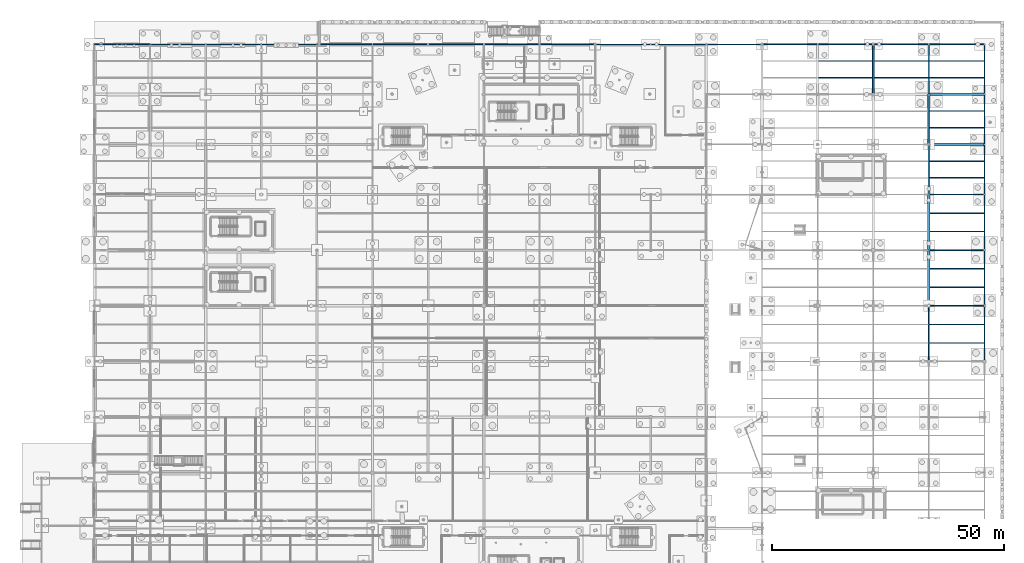
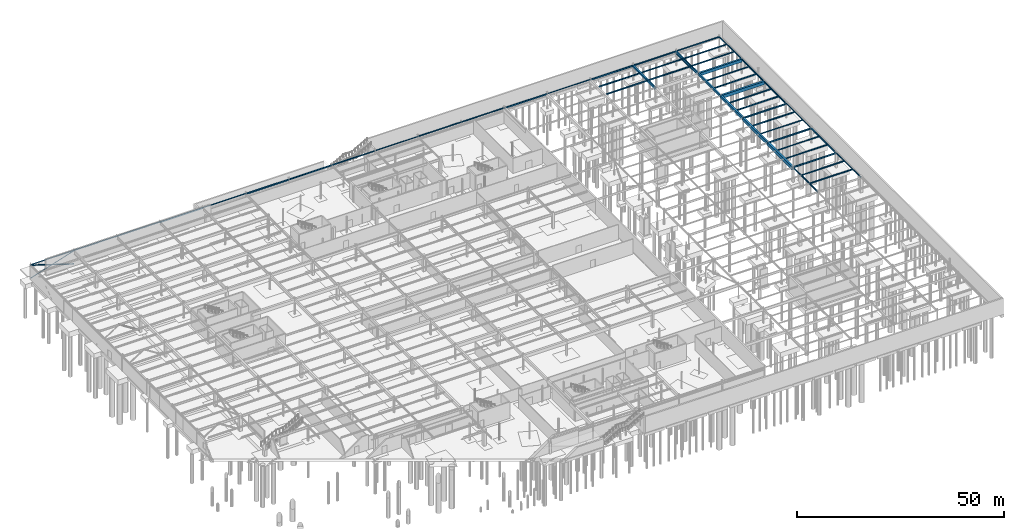
# One storey, part 87 of 136: 50 beams, 3 members.
"""IFC4 building model written with IfcOpenShell, lengths in metres."""

from ifc_helpers import new_model, si_unit, direction, frame, origin, origin_2d, place, context, subcontext, project, spatial, rectangle, hollow_rectangle, hollow_circle, i_section, extrude, material, material_profile, profile_set, type_object, element, save


model = new_model("IFC4")

# Units and contexts
model_context = context("Model", 3, precision=1e-05, world=origin(), true_north=direction((0.0, 1.0)))
body_context = subcontext(model_context, "Body", "Model", "MODEL_VIEW")
ifc_project = project(units=[si_unit("LENGTHUNIT", "METRE"), si_unit("AREAUNIT", "SQUARE_METRE"), si_unit("VOLUMEUNIT", "CUBIC_METRE"), si_unit("PLANEANGLEUNIT", "RADIAN"), si_unit("MASSUNIT", "GRAM", prefix="KILO")], contexts=[model_context])

# Site, building, storey
site_placement = place(None, origin())
site = spatial("IfcSite", under=ifc_project, at=site_placement, CompositionType="ELEMENT")
building_placement = place(site_placement, origin())
building = spatial("IfcBuilding", under=site, at=building_placement, Name="Tarnwether General Hospital", CompositionType="ELEMENT")
storey_placement = place(building_placement, frame((0.0, 0.0, -4.800048828125)))
storey = spatial("IfcBuildingStorey", under=building, at=storey_placement, Name="LG", CompositionType="ELEMENT", Elevation=-4.800048828125)

# Beams
ifc_material_1 = material(Name="Steel Grade 350 (350 MPa)", Category="steel")
ifc_material_profile_1 = material_profile(ifc_material_1, i_section(OverallWidth=0.300048828125, OverallDepth=0.89990234375, WebThickness=0.011962890625, FlangeThickness=0.02001953125, at=origin_2d()), Name="900WB175")
ifc_profile_set_1 = profile_set([ifc_material_profile_1], Name="Steel Grade 350 (350 MPa)")
beam_type_1 = type_object("IfcBeamType", Name="BM-G01", PredefinedType="BEAM", material=ifc_profile_set_1)
beam_1_placement = place(storey_placement, frame((180.0, 115.199951171875, 3.969970703125), z_axis=(0.0, 1.0, 0.0), x_axis=(-1.0, 0.0, 0.0)))
element("IfcBeam", 1, at=beam_1_placement, inside=storey, type_object=beam_type_1, Name="Primary Girder BMG-LG-18000_11520-18000_12600-0321", PredefinedType="BEAM", context=body_context, shape_type="SweptSolid", body=[
    extrude(i_section(OverallWidth=0.300048828125, OverallDepth=0.89990234375, WebThickness=0.011962890625, FlangeThickness=0.02001953125, at=origin_2d()), origin(), (0.0, 0.0, 1.0), 10.800048828125),
])
ifc_material_2 = material(Name="Steel Grade 350 (350 MPa)", Category="steel")
ifc_material_profile_2 = material_profile(ifc_material_2, i_section(OverallWidth=0.19091796875, OverallDepth=0.4599609375, WebThickness=0.010009765625, FlangeThickness=0.01611328125, at=origin_2d()), Name="460UB82.1")
ifc_profile_set_2 = profile_set([ifc_material_profile_2], Name="Steel Grade 350 (350 MPa)")
beam_type_2 = type_object("IfcBeamType", Name="BM-G08", PredefinedType="BEAM", material=ifc_profile_set_2)
beam_2_placement = place(storey_placement, frame((180.0, 69.60009765625, 4.2099609375), z_axis=(1.0, 0.0, 0.0), x_axis=(0.0, 1.0, 0.0)))
element("IfcBeam", 2, at=beam_2_placement, inside=storey, type_object=beam_type_2, Name="Primary Girder BMG-LG-18000_6960-19200_6960-0312", PredefinedType="BEAM", context=body_context, shape_type="SweptSolid", body=[
    extrude(i_section(OverallWidth=0.19091796875, OverallDepth=0.4599609375, WebThickness=0.010009765625, FlangeThickness=0.01611328125, at=origin_2d()), origin(), (0.0, 0.0, 1.0), 12.0),
])
ifc_material_3 = material(Name="Steel Grade 350 (350 MPa)", Category="steel")
ifc_material_profile_3 = material_profile(ifc_material_3, i_section(OverallWidth=0.18994140625, OverallDepth=0.45703125, WebThickness=0.009033203125, FlangeThickness=0.014404296875, at=origin_2d()), Name="460UB74.6")
ifc_profile_set_3 = profile_set([ifc_material_profile_3], Name="Steel Grade 350 (350 MPa)")
beam_type_3 = type_object("IfcBeamType", Name="BM-G09", PredefinedType="BEAM", material=ifc_profile_set_3)
beam_3_placement = place(storey_placement, frame((180.0, 81.60009765625, 4.191650390625), z_axis=(1.0, 0.0, 0.0), x_axis=(0.0, 1.0, 0.0)))
element("IfcBeam", 3, at=beam_3_placement, inside=storey, type_object=beam_type_3, Name="Primary Girder BMG-LG-18000_8160-19200_8160-0314", PredefinedType="BEAM", context=body_context, shape_type="SweptSolid", body=[
    extrude(i_section(OverallWidth=0.18994140625, OverallDepth=0.45703125, WebThickness=0.009033203125, FlangeThickness=0.014404296875, at=origin_2d()), origin(), (0.0, 0.0, 1.0), 12.0),
])
ifc_material_4 = material(Name="Steel Grade 350 (350 MPa)", Category="steel")
ifc_material_profile_4 = material_profile(ifc_material_4, i_section(OverallWidth=0.18994140625, OverallDepth=0.4541015625, WebThickness=0.008544921875, FlangeThickness=0.0126953125, at=origin_2d()), Name="460UB67.1")
ifc_profile_set_4 = profile_set([ifc_material_profile_4], Name="Steel Grade 350 (350 MPa)")
beam_type_4 = type_object("IfcBeamType", Name="BM-G10", PredefinedType="BEAM", material=ifc_profile_set_4)
for number, where, z_axis, x_axis, name in (
    (4, (180.0, 57.60009765625, 4.213134765625), (0.0, 1.0, 0.0), (-1.0, 0.0, 0.0), "Primary Girder BMG-LG-18000_5760-18000_6960-0311"),
    (5, (180.0, 93.60009765625, 4.193115234375), (1.0, 0.0, 0.0), (0.0, 1.0, 0.0), "Primary Girder BMG-LG-18000_9360-19200_9360-0316"),
):
    element("IfcBeam", number, at=place(storey_placement, frame(where, z_axis=z_axis, x_axis=x_axis)), inside=storey, type_object=beam_type_4, Name=name, PredefinedType="BEAM", context=body_context, shape_type="SweptSolid", body=[
        extrude(i_section(OverallWidth=0.18994140625, OverallDepth=0.4541015625, WebThickness=0.008544921875, FlangeThickness=0.0126953125, at=origin_2d()), origin(), (0.0, 0.0, 1.0), 12.0),
    ])
ifc_material_5 = material(Name="Concrete 40 MPa", Category="concrete")
ifc_material_profile_5 = material_profile(ifc_material_5, rectangle(XDim=0.550048828125, YDim=0.949951171875, at=origin_2d()), Name="RC-BM-550x950")
ifc_profile_set_5 = profile_set([ifc_material_profile_5], Name="Concrete 40 MPa")
beam_type_5 = type_object("IfcBeamType", Name="BM-G11", PredefinedType="BEAM", material=ifc_profile_set_5)
for number, where, z_axis, x_axis, name in (
    (6, (180.0, 69.60009765625, 3.945068359375), (0.0, 1.0, 0.0), (-1.0, 0.0, 0.0), "Primary Girder BMG-LG-18000_6960-18000_8160-0313"),
    (7, (180.0, 104.39990234375, 3.945068359375), (1.0, 0.0, 0.0), (0.0, 1.0, 0.0), "Primary Girder BMG-LG-18000_10440-19200_10440-0318"),
):
    element("IfcBeam", number, at=place(storey_placement, frame(where, z_axis=z_axis, x_axis=x_axis)), inside=storey, type_object=beam_type_5, Name=name, PredefinedType="BEAM", context=body_context, shape_type="SweptSolid", body=[
        extrude(rectangle(XDim=0.550048828125, YDim=0.949951171875, at=origin_2d()), origin(), (0.0, 0.0, 1.0), 12.0),
    ])
ifc_material_6 = material(Name="Concrete 40 MPa", Category="concrete")
ifc_material_profile_6 = material_profile(ifc_material_6, rectangle(XDim=0.5, YDim=0.89990234375, at=origin_2d()), Name="RC-BM-500x900")
ifc_profile_set_6 = profile_set([ifc_material_profile_6], Name="Concrete 40 MPa")
beam_type_6 = type_object("IfcBeamType", Name="BM-G12", PredefinedType="BEAM", material=ifc_profile_set_6)
for number, where, z_axis, x_axis, name in (
    (8, (180.0, 81.60009765625, 3.969970703125), (0.0, 1.0, 0.0), (-1.0, 0.0, 0.0), "Primary Girder BMG-LG-18000_8160-18000_9360-0315"),
    (9, (180.0, 115.199951171875, 3.969970703125), (1.0, 0.0, 0.0), (0.0, 1.0, 0.0), "Primary Girder BMG-LG-18000_11520-19200_11520-0320"),
):
    element("IfcBeam", number, at=place(storey_placement, frame(where, z_axis=z_axis, x_axis=x_axis)), inside=storey, type_object=beam_type_6, Name=name, PredefinedType="BEAM", context=body_context, shape_type="SweptSolid", body=[
        extrude(rectangle(XDim=0.5, YDim=0.89990234375, at=origin_2d()), origin(), (0.0, 0.0, 1.0), 12.0),
    ])
ifc_material_7 = material(Name="Concrete 40 MPa", Category="concrete")
ifc_material_profile_7 = material_profile(ifc_material_7, rectangle(XDim=0.449951171875, YDim=0.75, at=origin_2d()), Name="RC-BM-450x750")
ifc_profile_set_7 = profile_set([ifc_material_profile_7], Name="Concrete 40 MPa")
beam_type_7 = type_object("IfcBeamType", Name="BM-G13", PredefinedType="BEAM", material=ifc_profile_set_7)
beam_4_placement = place(storey_placement, frame((180.0, 93.60009765625, 4.045166015625), z_axis=(0.0, 1.0, 0.0), x_axis=(-1.0, 0.0, 0.0)))
element("IfcBeam", 10, at=beam_4_placement, inside=storey, type_object=beam_type_7, Name="Primary Girder BMG-LG-18000_9360-18000_10440-0317", PredefinedType="BEAM", context=body_context, shape_type="SweptSolid", body=[
    extrude(rectangle(XDim=0.449951171875, YDim=0.75, at=origin_2d()), origin(), (0.0, 0.0, 1.0), 10.7998046875),
])
ifc_material_8 = material(Name="Concrete 40 MPa", Category="concrete")
ifc_material_profile_8 = material_profile(ifc_material_8, rectangle(XDim=0.39990234375, YDim=0.64990234375, at=origin_2d()), Name="RC-BM-400x650")
ifc_profile_set_8 = profile_set([ifc_material_profile_8], Name="Concrete 40 MPa")
beam_type_8 = type_object("IfcBeamType", Name="BM-G14", PredefinedType="BEAM", material=ifc_profile_set_8)
for number, where, z_axis, x_axis, name in (
    (11, (168.0, 115.199951171875, 4.094970703125), (0.0, 1.0, 0.0), (-1.0, 0.0, 0.0), "Primary Girder BMG-LG-16800_11520-16800_12600-0298"),
    (12, (180.0, 104.39990234375, 4.094970703125), (0.0, 1.0, 0.0), (-1.0, 0.0, 0.0), "Primary Girder BMG-LG-18000_10440-18000_11520-0319"),
):
    element("IfcBeam", number, at=place(storey_placement, frame(where, z_axis=z_axis, x_axis=x_axis)), inside=storey, type_object=beam_type_8, Name=name, PredefinedType="BEAM", context=body_context, shape_type="SweptSolid", body=[
        extrude(rectangle(XDim=0.39990234375, YDim=0.64990234375, at=origin_2d()), origin(), (0.0, 0.0, 1.0), 10.800048828125),
    ])
ifc_material_9 = material(Name="Steel Grade 350 (350 MPa)", Category="steel")
ifc_material_profile_9 = material_profile(ifc_material_9, i_section(OverallWidth=0.177978515625, OverallDepth=0.406005859375, WebThickness=0.0078125, FlangeThickness=0.0126953125, at=origin_2d()), Name="410UB59.7")
ifc_profile_set_9 = profile_set([ifc_material_profile_9], Name="Steel Grade 350 (350 MPa)")
beam_type_9 = type_object("IfcBeamType", Name="BM-J01", PredefinedType="JOIST", material=ifc_profile_set_9)
beam_5_placement = place(storey_placement, frame((156.218994140625, 118.800048828125, 4.217041015625), z_axis=(1.0, 0.0, 0.0), x_axis=(0.0, 1.0, 0.0)))
element("IfcBeam", 13, at=beam_5_placement, inside=storey, type_object=beam_type_9, Name="Composite Floor Joist BMG-LG-15622_11880-16781_11880-0533", PredefinedType="JOIST", context=body_context, shape_type="SweptSolid", body=[
    extrude(i_section(OverallWidth=0.177978515625, OverallDepth=0.406005859375, WebThickness=0.0078125, FlangeThickness=0.0126953125, at=origin_2d()), origin(), (0.0, 0.0, 1.0), 11.5869140625),
])
beam_6_placement = place(storey_placement, frame((180.243896484375, 89.60009765625, 4.217041015625), z_axis=(1.0, 0.0, 0.0), x_axis=(0.0, 1.0, 0.0)))
element("IfcBeam", 14, at=beam_6_placement, inside=storey, type_object=beam_type_9, Name="Composite Floor Joist BMG-LG-18024_8960-19192_8960-0572", PredefinedType="JOIST", context=body_context, shape_type="SweptSolid", body=[
    extrude(i_section(OverallWidth=0.177978515625, OverallDepth=0.406005859375, WebThickness=0.0078125, FlangeThickness=0.0126953125, at=origin_2d()), origin(), (0.0, 0.0, 1.0), 11.676025390625),
])
beam_7_placement = place(storey_placement, frame((180.218994140625, 97.199951171875, 4.217041015625), z_axis=(1.0, 0.0, 0.0), x_axis=(0.0, 1.0, 0.0)))
element("IfcBeam", 15, at=beam_7_placement, inside=storey, type_object=beam_type_9, Name="Composite Floor Joist BMG-LG-18022_9720-19191_9720-0573", PredefinedType="JOIST", context=body_context, shape_type="SweptSolid", body=[
    extrude(i_section(OverallWidth=0.177978515625, OverallDepth=0.406005859375, WebThickness=0.0078125, FlangeThickness=0.0126953125, at=origin_2d()), origin(), (0.0, 0.0, 1.0), 11.69189453125),
])
ifc_material_10 = material(Name="Steel Grade 350 (350 MPa)", Category="steel")
ifc_material_profile_10 = material_profile(ifc_material_10, i_section(OverallWidth=0.177978515625, OverallDepth=0.403076171875, WebThickness=0.007568359375, FlangeThickness=0.010986328125, at=origin_2d()), Name="410UB53.7")
ifc_profile_set_10 = profile_set([ifc_material_profile_10], Name="Steel Grade 350 (350 MPa)")
beam_type_10 = type_object("IfcBeamType", Name="BM-J02", PredefinedType="JOIST", material=ifc_profile_set_10)
beam_8_placement = place(storey_placement, frame((156.218994140625, 122.39990234375, 4.218505859375), z_axis=(1.0, 0.0, 0.0), x_axis=(0.0, 1.0, 0.0)))
element("IfcBeam", 16, at=beam_8_placement, inside=storey, type_object=beam_type_10, Name="Composite Floor Joist BMG-LG-15622_12240-16781_12240-0534", PredefinedType="JOIST", context=body_context, shape_type="SweptSolid", body=[
    extrude(i_section(OverallWidth=0.177978515625, OverallDepth=0.403076171875, WebThickness=0.007568359375, FlangeThickness=0.010986328125, at=origin_2d()), origin(), (0.0, 0.0, 1.0), 11.5869140625),
])
beam_9_placement = place(storey_placement, frame((168.194091796875, 118.800048828125, 4.218505859375), z_axis=(1.0, 0.0, 0.0), x_axis=(0.0, 1.0, 0.0)))
element("IfcBeam", 17, at=beam_9_placement, inside=storey, type_object=beam_type_10, Name="Composite Floor Joist BMG-LG-16819_11880-17986_11880-0555", PredefinedType="JOIST", context=body_context, shape_type="SweptSolid", body=[
    extrude(i_section(OverallWidth=0.177978515625, OverallDepth=0.403076171875, WebThickness=0.007568359375, FlangeThickness=0.010986328125, at=origin_2d()), origin(), (0.0, 0.0, 1.0), 11.661865234375),
])
beam_10_placement = place(storey_placement, frame((180.218994140625, 100.800048828125, 4.218505859375), z_axis=(1.0, 0.0, 0.0), x_axis=(0.0, 1.0, 0.0)))
element("IfcBeam", 18, at=beam_10_placement, inside=storey, type_object=beam_type_10, Name="Composite Floor Joist BMG-LG-18022_10080-19191_10080-0574", PredefinedType="JOIST", context=body_context, shape_type="SweptSolid", body=[
    extrude(i_section(OverallWidth=0.177978515625, OverallDepth=0.403076171875, WebThickness=0.007568359375, FlangeThickness=0.010986328125, at=origin_2d()), origin(), (0.0, 0.0, 1.0), 11.69189453125),
])
beam_11_placement = place(storey_placement, frame((180.194091796875, 108.0, 4.218505859375), z_axis=(1.0, 0.0, 0.0), x_axis=(0.0, 1.0, 0.0)))
element("IfcBeam", 19, at=beam_11_placement, inside=storey, type_object=beam_type_10, Name="Composite Floor Joist BMG-LG-18019_10800-19192_10800-0575", PredefinedType="JOIST", context=body_context, shape_type="SweptSolid", body=[
    extrude(i_section(OverallWidth=0.177978515625, OverallDepth=0.403076171875, WebThickness=0.007568359375, FlangeThickness=0.010986328125, at=origin_2d()), origin(), (0.0, 0.0, 1.0), 11.722900390625),
])
ifc_material_11 = material(Name="Steel Grade 350 (350 MPa)", Category="steel")
ifc_material_profile_11 = material_profile(ifc_material_11, i_section(OverallWidth=0.172119140625, OverallDepth=0.35888671875, WebThickness=0.008056640625, FlangeThickness=0.012939453125, at=origin_2d()), Name="360UB56.7")
ifc_profile_set_11 = profile_set([ifc_material_profile_11], Name="Steel Grade 350 (350 MPa)")
beam_type_11 = type_object("IfcBeamType", Name="BM-J03", PredefinedType="JOIST", material=ifc_profile_set_11)
beam_12_placement = place(storey_placement, frame((168.194091796875, 122.39990234375, 4.240478515625), z_axis=(1.0, 0.0, 0.0), x_axis=(0.0, 1.0, 0.0)))
element("IfcBeam", 20, at=beam_12_placement, inside=storey, type_object=beam_type_11, Name="Composite Floor Joist BMG-LG-16819_12240-17986_12240-0556", PredefinedType="JOIST", context=body_context, shape_type="SweptSolid", body=[
    extrude(i_section(OverallWidth=0.172119140625, OverallDepth=0.35888671875, WebThickness=0.008056640625, FlangeThickness=0.012939453125, at=origin_2d()), origin(), (0.0, 0.0, 1.0), 11.661865234375),
])
beam_13_placement = place(storey_placement, frame((180.194091796875, 111.60009765625, 4.240478515625), z_axis=(1.0, 0.0, 0.0), x_axis=(0.0, 1.0, 0.0)))
element("IfcBeam", 21, at=beam_13_placement, inside=storey, type_object=beam_type_11, Name="Composite Floor Joist BMG-LG-18019_11160-19192_11160-0576", PredefinedType="JOIST", context=body_context, shape_type="SweptSolid", body=[
    extrude(i_section(OverallWidth=0.172119140625, OverallDepth=0.35888671875, WebThickness=0.008056640625, FlangeThickness=0.012939453125, at=origin_2d()), origin(), (0.0, 0.0, 1.0), 11.722900390625),
])
beam_14_placement = place(storey_placement, frame((180.14404296875, 118.800048828125, 4.240478515625), z_axis=(1.0, 0.0, 0.0), x_axis=(0.0, 1.0, 0.0)))
element("IfcBeam", 22, at=beam_14_placement, inside=storey, type_object=beam_type_11, Name="Composite Floor Joist BMG-LG-18014_11880-19191_11880-0577", PredefinedType="JOIST", context=body_context, shape_type="SweptSolid", body=[
    extrude(i_section(OverallWidth=0.172119140625, OverallDepth=0.35888671875, WebThickness=0.008056640625, FlangeThickness=0.012939453125, at=origin_2d()), origin(), (0.0, 0.0, 1.0), 11.761962890625),
])
ifc_material_12 = material(Name="Steel Grade 350 (350 MPa)", Category="steel")
ifc_material_profile_12 = material_profile(ifc_material_12, i_section(OverallWidth=0.1708984375, OverallDepth=0.35595703125, WebThickness=0.00732421875, FlangeThickness=0.011474609375, at=origin_2d()), Name="360UB50.7")
ifc_profile_set_12 = profile_set([ifc_material_profile_12], Name="Steel Grade 350 (350 MPa)")
beam_type_12 = type_object("IfcBeamType", Name="BM-J04", PredefinedType="JOIST", material=ifc_profile_set_12)
beam_15_placement = place(storey_placement, frame((180.14404296875, 122.39990234375, 4.241943359375), z_axis=(1.0, 0.0, 0.0), x_axis=(0.0, 1.0, 0.0)))
element("IfcBeam", 23, at=beam_15_placement, inside=storey, type_object=beam_type_12, Name="Composite Floor Joist BMG-LG-18014_12240-19191_12240-0578", PredefinedType="JOIST", context=body_context, shape_type="SweptSolid", body=[
    extrude(i_section(OverallWidth=0.1708984375, OverallDepth=0.35595703125, WebThickness=0.00732421875, FlangeThickness=0.011474609375, at=origin_2d()), origin(), (0.0, 0.0, 1.0), 11.761962890625),
])
ifc_material_13 = material(Name="Steel Grade 350 (350 MPa)", Category="steel")
ifc_material_profile_13 = material_profile(ifc_material_13, i_section(OverallWidth=0.14599609375, OverallDepth=0.251953125, WebThickness=0.006103515625, FlangeThickness=0.008544921875, at=origin_2d()), Name="250UB31.4")
ifc_profile_set_13 = profile_set([ifc_material_profile_13], Name="Steel Grade 350 (350 MPa)")
beam_type_13 = type_object("IfcBeamType", Name="BM-J10", PredefinedType="JOIST", material=ifc_profile_set_13)
beam_16_placement = place(storey_placement, frame((180.089111328125, 61.60009765625, 4.31396484375), z_axis=(1.0, 0.0, 0.0), x_axis=(0.0, 1.0, 0.0)))
element("IfcBeam", 24, at=beam_16_placement, inside=storey, type_object=beam_type_13, Name="Composite Floor Joist BMG-LG-18009_6160-19192_6160-0567", PredefinedType="JOIST", context=body_context, shape_type="SweptSolid", body=[
    extrude(i_section(OverallWidth=0.14599609375, OverallDepth=0.251953125, WebThickness=0.006103515625, FlangeThickness=0.008544921875, at=origin_2d()), origin(), (0.0, 0.0, 1.0), 11.830810546875),
])
ifc_material_14 = material(Name="Steel Grade 350 (350 MPa)", Category="steel")
ifc_material_profile_14 = material_profile(ifc_material_14, i_section(OverallWidth=0.1240234375, OverallDepth=0.248046875, WebThickness=0.0048828125, FlangeThickness=0.008056640625, at=origin_2d()), Name="250UB25.7")
ifc_profile_set_14 = profile_set([ifc_material_profile_14], Name="Steel Grade 350 (350 MPa)")
beam_type_14 = type_object("IfcBeamType", Name="BM-J11", PredefinedType="JOIST", material=ifc_profile_set_14)
beam_17_placement = place(storey_placement, frame((180.089111328125, 65.60009765625, 4.316162109375), z_axis=(1.0, 0.0, 0.0), x_axis=(0.0, 1.0, 0.0)))
element("IfcBeam", 25, at=beam_17_placement, inside=storey, type_object=beam_type_14, Name="Composite Floor Joist BMG-LG-18009_6560-19192_6560-0568", PredefinedType="JOIST", context=body_context, shape_type="SweptSolid", body=[
    extrude(i_section(OverallWidth=0.1240234375, OverallDepth=0.248046875, WebThickness=0.0048828125, FlangeThickness=0.008056640625, at=origin_2d()), origin(), (0.0, 0.0, 1.0), 11.830810546875),
])
beam_18_placement = place(storey_placement, frame((180.26904296875, 73.60009765625, 4.296142578125), z_axis=(1.0, 0.0, 0.0), x_axis=(0.0, 1.0, 0.0)))
element("IfcBeam", 26, at=beam_18_placement, inside=storey, type_object=beam_type_14, Name="Composite Floor Joist BMG-LG-18027_7360-19188_7360-0569", PredefinedType="JOIST", context=body_context, shape_type="SweptSolid", body=[
    extrude(i_section(OverallWidth=0.1240234375, OverallDepth=0.248046875, WebThickness=0.0048828125, FlangeThickness=0.008056640625, at=origin_2d()), origin(), (0.0, 0.0, 1.0), 11.612060546875),
])
ifc_material_15 = material(Name="Steel Grade 350 (350 MPa)", Category="steel")
ifc_material_profile_15 = material_profile(ifc_material_15, i_section(OverallWidth=0.134033203125, OverallDepth=0.20703125, WebThickness=0.00634765625, FlangeThickness=0.009521484375, at=origin_2d()), Name="200UB29.8")
ifc_profile_set_15 = profile_set([ifc_material_profile_15], Name="Steel Grade 350 (350 MPa)")
beam_type_15 = type_object("IfcBeamType", Name="BM-J12", PredefinedType="JOIST", material=ifc_profile_set_15)
beam_19_placement = place(storey_placement, frame((180.26904296875, 77.60009765625, 4.316650390625), z_axis=(1.0, 0.0, 0.0), x_axis=(0.0, 1.0, 0.0)))
element("IfcBeam", 27, at=beam_19_placement, inside=storey, type_object=beam_type_15, Name="Composite Floor Joist BMG-LG-18027_7760-19188_7760-0570", PredefinedType="JOIST", context=body_context, shape_type="SweptSolid", body=[
    extrude(i_section(OverallWidth=0.134033203125, OverallDepth=0.20703125, WebThickness=0.00634765625, FlangeThickness=0.009521484375, at=origin_2d()), origin(), (0.0, 0.0, 1.0), 11.612060546875),
])
beam_20_placement = place(storey_placement, frame((180.243896484375, 85.60009765625, 4.316650390625), z_axis=(1.0, 0.0, 0.0), x_axis=(0.0, 1.0, 0.0)))
element("IfcBeam", 28, at=beam_20_placement, inside=storey, type_object=beam_type_15, Name="Composite Floor Joist BMG-LG-18024_8560-19192_8560-0571", PredefinedType="JOIST", context=body_context, shape_type="SweptSolid", body=[
    extrude(i_section(OverallWidth=0.134033203125, OverallDepth=0.20703125, WebThickness=0.00634765625, FlangeThickness=0.009521484375, at=origin_2d()), origin(), (0.0, 0.0, 1.0), 11.676025390625),
])
ifc_material_16 = material(Name="Steel Grade 350 (350 MPa)", Category="steel")
ifc_material_profile_16 = material_profile(ifc_material_16, i_section(OverallWidth=0.18994140625, OverallDepth=0.4541015625, WebThickness=0.008544921875, FlangeThickness=0.0126953125, at=origin_2d()), Name="460UB67.1")
ifc_profile_set_16 = profile_set([ifc_material_profile_16], Name="Steel Grade 350 (350 MPa)")
beam_type_16 = type_object("IfcBeamType", Name="BM-SP1", PredefinedType="SPANDREL", material=ifc_profile_set_16)
for number, where, z_axis, x_axis, name in (
    (29, (60.0, 126.0, 4.203125), (1.0, 0.0, 0.0), (0.0, 1.0, 0.0), "Primary Girder BMG-LG-6000_12600-7200_12600-0140"),
    (30, (156.0, 126.0, 4.193115234375), (1.0, 0.0, 0.0), (0.0, 1.0, 0.0), "Primary Girder BMG-LG-15600_12600-16800_12600-0276"),
):
    element("IfcBeam", number, at=place(storey_placement, frame(where, z_axis=z_axis, x_axis=x_axis)), inside=storey, type_object=beam_type_16, Name=name, PredefinedType="SPANDREL", context=body_context, shape_type="SweptSolid", body=[
        extrude(i_section(OverallWidth=0.18994140625, OverallDepth=0.4541015625, WebThickness=0.008544921875, FlangeThickness=0.0126953125, at=origin_2d()), origin(), (0.0, 0.0, 1.0), 12.0),
    ])
beam_21_placement = place(storey_placement, frame((192.0, 93.60009765625, 4.193115234375), z_axis=(0.0, 1.0, 0.0), x_axis=(-1.0, 0.0, 0.0)))
element("IfcBeam", 31, at=beam_21_placement, inside=storey, type_object=beam_type_16, Name="Primary Girder BMG-LG-19200_9360-19200_10440-0331", PredefinedType="SPANDREL", context=body_context, shape_type="SweptSolid", body=[
    extrude(i_section(OverallWidth=0.18994140625, OverallDepth=0.4541015625, WebThickness=0.008544921875, FlangeThickness=0.0126953125, at=origin_2d()), origin(), (0.0, 0.0, 1.0), 10.7998046875),
])
ifc_material_17 = material(Name="Steel Grade 350 (350 MPa)", Category="steel")
ifc_material_profile_17 = material_profile(ifc_material_17, i_section(OverallWidth=0.177978515625, OverallDepth=0.403076171875, WebThickness=0.007568359375, FlangeThickness=0.010986328125, at=origin_2d()), Name="410UB53.7")
ifc_profile_set_17 = profile_set([ifc_material_profile_17], Name="Steel Grade 350 (350 MPa)")
beam_type_17 = type_object("IfcBeamType", Name="BM-SP2", PredefinedType="SPANDREL", material=ifc_profile_set_17)
for number, where, z_axis, x_axis, name in (
    (32, (72.0, 126.0, 4.228515625), (1.0, 0.0, 0.0), (0.0, 1.0, 0.0), "Primary Girder BMG-LG-7200_12600-8400_12600-0153"),
    (33, (168.0, 126.0, 4.218505859375), (1.0, 0.0, 0.0), (0.0, 1.0, 0.0), "Primary Girder BMG-LG-16800_12600-18000_12600-0299"),
):
    element("IfcBeam", number, at=place(storey_placement, frame(where, z_axis=z_axis, x_axis=x_axis)), inside=storey, type_object=beam_type_17, Name=name, PredefinedType="SPANDREL", context=body_context, shape_type="SweptSolid", body=[
        extrude(i_section(OverallWidth=0.177978515625, OverallDepth=0.403076171875, WebThickness=0.007568359375, FlangeThickness=0.010986328125, at=origin_2d()), origin(), (0.0, 0.0, 1.0), 12.0),
    ])
beam_22_placement = place(storey_placement, frame((192.0, 104.39990234375, 4.218505859375), z_axis=(0.0, 1.0, 0.0), x_axis=(-1.0, 0.0, 0.0)))
element("IfcBeam", 34, at=beam_22_placement, inside=storey, type_object=beam_type_17, Name="Primary Girder BMG-LG-19200_10440-19200_11520-0332", PredefinedType="SPANDREL", context=body_context, shape_type="SweptSolid", body=[
    extrude(i_section(OverallWidth=0.177978515625, OverallDepth=0.403076171875, WebThickness=0.007568359375, FlangeThickness=0.010986328125, at=origin_2d()), origin(), (0.0, 0.0, 1.0), 10.800048828125),
])
ifc_material_18 = material(Name="Steel Grade C350L0 (350 MPa)", Category="steel")
ifc_material_profile_18 = material_profile(ifc_material_18, hollow_rectangle(XDim=0.199951171875, YDim=0.300048828125, WallThickness=0.012451171875, at=origin_2d()), Name="RHS300x200x12.5")
ifc_profile_set_18 = profile_set([ifc_material_profile_18], Name="Steel Grade C350L0 (350 MPa)")
beam_type_18 = type_object("IfcBeamType", Name="BM-SP3", PredefinedType="SPANDREL", material=ifc_profile_set_18)
for number, where, z_axis, x_axis, name in (
    (35, (84.0, 126.0, 4.280029296875), (1.0, 0.0, 0.0), (0.0, 1.0, 0.0), "Primary Girder BMG-LG-8400_12600-9600_12600-0174"),
    (36, (180.0, 126.0, 4.27001953125), (1.0, 0.0, 0.0), (0.0, 1.0, 0.0), "Primary Girder BMG-LG-18000_12600-19200_12600-0322"),
):
    element("IfcBeam", number, at=place(storey_placement, frame(where, z_axis=z_axis, x_axis=x_axis)), inside=storey, type_object=beam_type_18, Name=name, PredefinedType="SPANDREL", context=body_context, shape_type="SweptSolid", body=[
        extrude(hollow_rectangle(XDim=0.199951171875, YDim=0.300048828125, WallThickness=0.012451171875, at=origin_2d()), origin(), (0.0, 0.0, 1.0), 12.0),
    ])
beam_23_placement = place(storey_placement, frame((192.0, 115.199951171875, 4.27001953125), z_axis=(0.0, 1.0, 0.0), x_axis=(-1.0, 0.0, 0.0)))
element("IfcBeam", 37, at=beam_23_placement, inside=storey, type_object=beam_type_18, Name="Primary Girder BMG-LG-19200_11520-19200_12600-0333", PredefinedType="SPANDREL", context=body_context, shape_type="SweptSolid", body=[
    extrude(hollow_rectangle(XDim=0.199951171875, YDim=0.300048828125, WallThickness=0.012451171875, at=origin_2d()), origin(), (0.0, 0.0, 1.0), 10.800048828125),
])
ifc_material_19 = material(Name="Steel Grade C350L0 (350 MPa)", Category="steel")
ifc_material_profile_19 = material_profile(ifc_material_19, hollow_rectangle(XDim=0.14990234375, YDim=0.25, WallThickness=0.010009765625, at=origin_2d()), Name="RHS250x150x10")
ifc_profile_set_19 = profile_set([ifc_material_profile_19], Name="Steel Grade C350L0 (350 MPa)")
beam_type_19 = type_object("IfcBeamType", Name="BM-SP4", PredefinedType="SPANDREL", material=ifc_profile_set_19)
for number, where, z_axis, x_axis, name in (
    (38, (0.0, 126.0, 4.304931640625), (1.0, 0.0, 0.0), (0.0, 1.0, 0.0), "Primary Girder BMG-LG-0_12600-1200_12600-0031"),
    (39, (96.0, 126.0, 4.304931640625), (1.0, 0.0, 0.0), (0.0, 1.0, 0.0), "Primary Girder BMG-LG-9600_12600-10800_12600-0191"),
):
    element("IfcBeam", number, at=place(storey_placement, frame(where, z_axis=z_axis, x_axis=x_axis)), inside=storey, type_object=beam_type_19, Name=name, PredefinedType="SPANDREL", context=body_context, shape_type="SweptSolid", body=[
        extrude(hollow_rectangle(XDim=0.14990234375, YDim=0.25, WallThickness=0.010009765625, at=origin_2d()), origin(), (0.0, 0.0, 1.0), 12.0),
    ])
ifc_material_20 = material(Name="Steel Grade 350 (350 MPa)", Category="steel")
ifc_material_profile_20 = material_profile(ifc_material_20, i_section(OverallWidth=0.133056640625, OverallDepth=0.202880859375, WebThickness=0.005859375, FlangeThickness=0.0078125, at=origin_2d()), Name="200UB25.4")
ifc_profile_set_20 = profile_set([ifc_material_profile_20], Name="Steel Grade 350 (350 MPa)")
beam_type_20 = type_object("IfcBeamType", Name="BM-SP5", PredefinedType="SPANDREL", material=ifc_profile_set_20)
for number, where, z_axis, x_axis, name in (
    (40, (12.0, 126.0, 4.32861328125), (1.0, 0.0, 0.0), (0.0, 1.0, 0.0), "Primary Girder BMG-LG-1200_12600-2400_12600-0054"),
    (41, (108.0, 126.0, 4.32861328125), (1.0, 0.0, 0.0), (0.0, 1.0, 0.0), "Primary Girder BMG-LG-10800_12600-12000_12600-0204"),
):
    element("IfcBeam", number, at=place(storey_placement, frame(where, z_axis=z_axis, x_axis=x_axis)), inside=storey, type_object=beam_type_20, Name=name, PredefinedType="SPANDREL", context=body_context, shape_type="SweptSolid", body=[
        extrude(i_section(OverallWidth=0.133056640625, OverallDepth=0.202880859375, WebThickness=0.005859375, FlangeThickness=0.0078125, at=origin_2d()), origin(), (0.0, 0.0, 1.0), 12.0),
    ])
ifc_material_21 = material(Name="Steel Grade 350 (350 MPa)", Category="steel")
ifc_material_profile_21 = material_profile(ifc_material_21, i_section(OverallWidth=0.133056640625, OverallDepth=0.201904296875, WebThickness=0.0048828125, FlangeThickness=0.007080078125, at=origin_2d()), Name="200UB22.3")
ifc_profile_set_21 = profile_set([ifc_material_profile_21], Name="Steel Grade 350 (350 MPa)")
beam_type_21 = type_object("IfcBeamType", Name="BM-SP6", PredefinedType="SPANDREL", material=ifc_profile_set_21)
for number, where, z_axis, x_axis, name in (
    (42, (24.0, 126.0, 4.3291015625), (1.0, 0.0, 0.0), (0.0, 1.0, 0.0), "Primary Girder BMG-LG-2400_12600-3600_12600-0077"),
    (43, (120.0, 126.0, 4.3291015625), (1.0, 0.0, 0.0), (0.0, 1.0, 0.0), "Primary Girder BMG-LG-12000_12600-13200_12600-0212"),
    (44, (192.0, 57.60009765625, 4.339111328125), (0.0, 1.0, 0.0), (-1.0, 0.0, 0.0), "Primary Girder BMG-LG-19200_5760-19200_6960-0328"),
):
    element("IfcBeam", number, at=place(storey_placement, frame(where, z_axis=z_axis, x_axis=x_axis)), inside=storey, type_object=beam_type_21, Name=name, PredefinedType="SPANDREL", context=body_context, shape_type="SweptSolid", body=[
        extrude(i_section(OverallWidth=0.133056640625, OverallDepth=0.201904296875, WebThickness=0.0048828125, FlangeThickness=0.007080078125, at=origin_2d()), origin(), (0.0, 0.0, 1.0), 12.0),
    ])
ifc_material_22 = material(Name="Steel Grade C350L0 (350 MPa)", Category="steel")
ifc_material_profile_22 = material_profile(ifc_material_22, hollow_rectangle(XDim=0.25, YDim=0.35009765625, WallThickness=0.012451171875, at=origin_2d()), Name="RHS350x250x12.5")
ifc_profile_set_22 = profile_set([ifc_material_profile_22], Name="Steel Grade C350L0 (350 MPa)")
beam_type_22 = type_object("IfcBeamType", Name="BM-SP7", PredefinedType="SPANDREL", material=ifc_profile_set_22)
for number, where, z_axis, x_axis, name in (
    (45, (36.0, 126.0, 4.255126953125), (1.0, 0.0, 0.0), (0.0, 1.0, 0.0), "Primary Girder BMG-LG-3600_12600-4800_12600-0098"),
    (46, (132.0, 126.0, 4.2451171875), (1.0, 0.0, 0.0), (0.0, 1.0, 0.0), "Primary Girder BMG-LG-13200_12600-14400_12600-0230"),
    (47, (192.0, 69.60009765625, 4.2451171875), (0.0, 1.0, 0.0), (-1.0, 0.0, 0.0), "Primary Girder BMG-LG-19200_6960-19200_8160-0329"),
):
    element("IfcBeam", number, at=place(storey_placement, frame(where, z_axis=z_axis, x_axis=x_axis)), inside=storey, type_object=beam_type_22, Name=name, PredefinedType="SPANDREL", context=body_context, shape_type="SweptSolid", body=[
        extrude(hollow_rectangle(XDim=0.25, YDim=0.35009765625, WallThickness=0.012451171875, at=origin_2d()), origin(), (0.0, 0.0, 1.0), 12.0),
    ])
ifc_material_23 = material(Name="Steel Grade C350L0 (350 MPa)", Category="steel")
ifc_material_profile_23 = material_profile(ifc_material_23, hollow_rectangle(XDim=0.14990234375, YDim=0.25, WallThickness=0.008056640625, at=origin_2d()), Name="RHS250x150x8")
ifc_profile_set_23 = profile_set([ifc_material_profile_23], Name="Steel Grade C350L0 (350 MPa)")
beam_type_23 = type_object("IfcBeamType", Name="BM-SP8", PredefinedType="SPANDREL", material=ifc_profile_set_23)
for number, where, z_axis, x_axis, name in (
    (48, (48.0, 126.0, 4.304931640625), (1.0, 0.0, 0.0), (0.0, 1.0, 0.0), "Primary Girder BMG-LG-4800_12600-6000_12600-0121"),
    (49, (144.0, 126.0, 4.295166015625), (1.0, 0.0, 0.0), (0.0, 1.0, 0.0), "Primary Girder BMG-LG-14400_12600-15600_12600-0253"),
    (50, (192.0, 81.60009765625, 4.295166015625), (0.0, 1.0, 0.0), (-1.0, 0.0, 0.0), "Primary Girder BMG-LG-19200_8160-19200_9360-0330"),
):
    element("IfcBeam", number, at=place(storey_placement, frame(where, z_axis=z_axis, x_axis=x_axis)), inside=storey, type_object=beam_type_23, Name=name, PredefinedType="SPANDREL", context=body_context, shape_type="SweptSolid", body=[
        extrude(hollow_rectangle(XDim=0.14990234375, YDim=0.25, WallThickness=0.008056640625, at=origin_2d()), origin(), (0.0, 0.0, 1.0), 12.0),
    ])

# Members
ifc_material_24 = material(Name="Steel Grade C350L0 (350 MPa)", Category="steel")
ifc_material_profile_24 = material_profile(ifc_material_24, hollow_circle(Radius=0.109619140625, WallThickness=0.010009765625, at=origin_2d()), Name="CHS219.1x10.0")
ifc_profile_set_24 = profile_set([ifc_material_profile_24], Name="Steel Grade C350L0 (350 MPa)")
member_type = type_object("IfcMemberType", Name="MB-BR3", PredefinedType="BRACE", material=ifc_profile_set_24)
member_placement = place(storey_placement, frame((0.0, 126.0, 0.360107421875), z_axis=(0.952658136211, 0.0, 0.304043542129), x_axis=(0.0, 1.0, 0.0)))
element("IfcMember", 51, at=member_placement, inside=storey, type_object=member_type, Name="X-Brace Continuous Diagonal 023", PredefinedType="BRACE", context=body_context, shape_type="SweptSolid", body=[
    extrude(hollow_circle(Radius=0.109619140625, WallThickness=0.010009765625, at=origin_2d()), origin(), (0.0, 0.0, 1.0), 12.596435546875),
])
for number, where, z_axis, x_axis, name in (
    (52, (12.0, 126.0, 0.360107421875), (-0.952660921429, 0.0, 0.304034815083), (0.0, -1.0, 0.0), "X-Brace Lower Split Diagonal 024"),
    (53, (5.86669921875, 126.0, 2.317626953125), (-0.952660921429, 0.0, 0.304034815083), (0.0, -1.0, 0.0), "X-Brace Upper Split Diagonal 025"),
):
    element("IfcMember", number, at=place(storey_placement, frame(where, z_axis=z_axis, x_axis=x_axis)), inside=storey, type_object=member_type, Name=name, PredefinedType="BRACE", context=body_context, shape_type="SweptSolid", body=[
        extrude(hollow_circle(Radius=0.109619140625, WallThickness=0.010009765625, at=origin_2d()), origin(), (0.0, 0.0, 1.0), 6.158203125),
    ])

save(model, "model.ifc")
